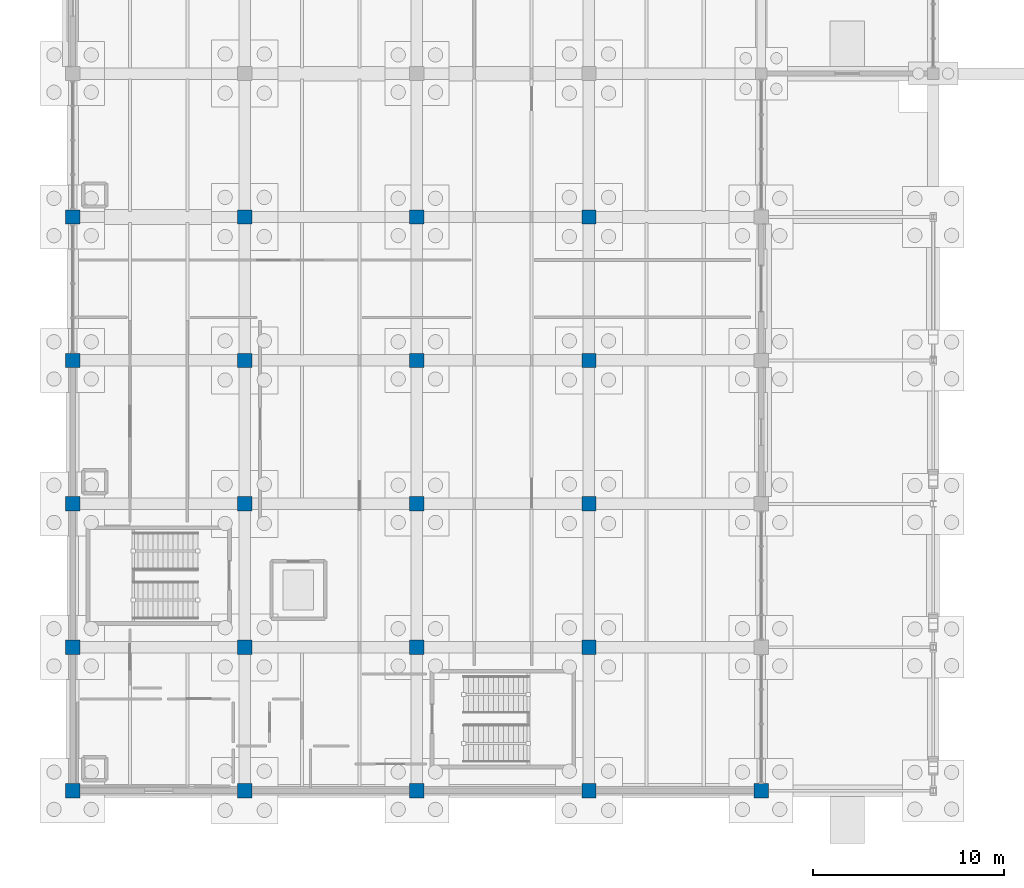
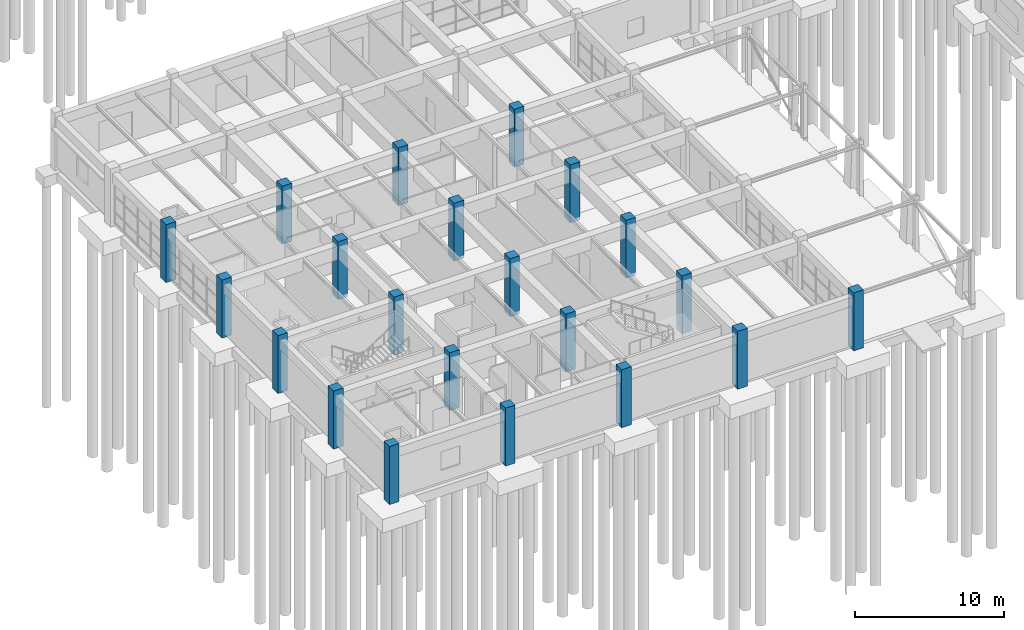
# One storey, part 9 of 93: 21 columns.
"""IFC4 building model written with IfcOpenShell, lengths in metres."""

from ifc_helpers import new_model, si_unit, direction, frame, origin, origin_2d, place, context, subcontext, project, spatial, rectangle, extrude, material, material_profile, profile_set, type_object, element, save


model = new_model("IFC4")

# Units and contexts
model_context = context("Model", 3, precision=1e-05, world=origin(), true_north=direction((0.0, 1.0)))
body_context = subcontext(model_context, "Body", "Model", "MODEL_VIEW")
ifc_project = project(units=[si_unit("LENGTHUNIT", "METRE"), si_unit("AREAUNIT", "SQUARE_METRE"), si_unit("VOLUMEUNIT", "CUBIC_METRE"), si_unit("PLANEANGLEUNIT", "RADIAN"), si_unit("MASSUNIT", "GRAM", prefix="KILO")], contexts=[model_context])

# Site, building, storey
site_placement = place(None, origin())
site = spatial("IfcSite", under=ifc_project, at=site_placement, CompositionType="ELEMENT")
building_placement = place(site_placement, origin())
building = spatial("IfcBuilding", under=site, at=building_placement, Name="Marnridge Secondary College", CompositionType="ELEMENT")
storey_placement = place(building_placement, origin())
storey = spatial("IfcBuildingStorey", under=building, at=storey_placement, Name="L00", CompositionType="ELEMENT", Elevation=0.0)

# Columns
ifc_material_1 = material(Name="Concrete C50/60 (AS 3600 N50, 50 MPa)", Category="concrete")
ifc_material_profile_1 = material_profile(ifc_material_1, rectangle(XDim=0.75, YDim=0.75, at=origin_2d()), Name="RC 750x750")
ifc_profile_set_1 = profile_set([ifc_material_profile_1], Name="Concrete C50/60 (AS 3600 N50, 50 MPa)")
column_type_1 = type_object("IfcColumnType", Name="CL-RC750-EXT", PredefinedType="COLUMN", material=ifc_profile_set_1)
for number, where, z_axis, x_axis, name in (
    (1, (0.0, 0.0, -0.25), (0.0, 0.0, 1.0), (1.0, 0.0, 0.0), "Column C-L00-0001"),
    (2, (9.0, 0.0, -0.25), (0.0, 0.0, 1.0), (1.0, 0.0, 0.0), "Column C-L00-0006"),
    (3, (18.0, 0.0, -0.25), (0.0, 0.0, 1.0), (1.0, 0.0, 0.0), "Column C-L00-0011"),
    (4, (27.0, 0.0, -0.25), (0.0, 0.0, 1.0), (1.0, 0.0, 0.0), "Column C-L00-0016"),
    (5, (36.0, 0.0, -0.25), (0.0, 0.0, 1.0), (1.0, 0.0, 0.0), "Column C-L00-0021"),
    (6, (0.0, 7.5, -0.25), (0.0, 0.0, 1.0), (1.0, 0.0, 0.0), "Column C-L00-0053"),
    (7, (0.0, 15.0, -0.25), (0.0, 0.0, 1.0), (1.0, 0.0, 0.0), "Column C-L00-0098"),
    (8, (0.0, 22.5, -0.25), (0.0, 0.0, 1.0), (1.0, 0.0, 0.0), "Column C-L00-0143"),
    (9, (0.0, 30.0, -0.25), (0.0, 0.0, 1.0), (1.0, 0.0, 0.0), "Column C-L00-0188"),
):
    element("IfcColumn", number, at=place(storey_placement, frame(where, z_axis=z_axis, x_axis=x_axis)), inside=storey, type_object=column_type_1, Name=name, PredefinedType="COLUMN", context=body_context, shape_type="SweptSolid", body=[
        extrude(rectangle(XDim=0.75, YDim=0.75, at=origin_2d()), origin(), (0.0, 0.0, 1.0), 4.75),
    ])
ifc_material_2 = material(Name="Concrete C50/60 (AS 3600 N50, 50 MPa)", Category="concrete")
ifc_material_profile_2 = material_profile(ifc_material_2, rectangle(XDim=0.75, YDim=0.75, at=origin_2d()), Name="RC 750x750")
ifc_profile_set_2 = profile_set([ifc_material_profile_2], Name="Concrete C50/60 (AS 3600 N50, 50 MPa)")
column_type_2 = type_object("IfcColumnType", Name="CL-RC750-INT", PredefinedType="COLUMN", material=ifc_profile_set_2)
for number, where, z_axis, x_axis, name in (
    (10, (9.0, 7.5, -0.25), (0.0, 0.0, 1.0), (1.0, 0.0, 0.0), "Column C-L00-0058"),
    (11, (18.0, 7.5, -0.25), (0.0, 0.0, 1.0), (1.0, 0.0, 0.0), "Column C-L00-0063"),
    (12, (27.0, 7.5, -0.25), (0.0, 0.0, 1.0), (1.0, 0.0, 0.0), "Column C-L00-0068"),
    (13, (9.0, 15.0, -0.25), (0.0, 0.0, 1.0), (1.0, 0.0, 0.0), "Column C-L00-0103"),
    (14, (18.0, 15.0, -0.25), (0.0, 0.0, 1.0), (1.0, 0.0, 0.0), "Column C-L00-0108"),
    (15, (27.0, 15.0, -0.25), (0.0, 0.0, 1.0), (1.0, 0.0, 0.0), "Column C-L00-0113"),
    (16, (9.0, 22.5, -0.25), (0.0, 0.0, 1.0), (1.0, 0.0, 0.0), "Column C-L00-0148"),
    (17, (18.0, 22.5, -0.25), (0.0, 0.0, 1.0), (1.0, 0.0, 0.0), "Column C-L00-0153"),
    (18, (27.0, 22.5, -0.25), (0.0, 0.0, 1.0), (1.0, 0.0, 0.0), "Column C-L00-0158"),
    (19, (9.0, 30.0, -0.25), (0.0, 0.0, 1.0), (1.0, 0.0, 0.0), "Column C-L00-0193"),
    (20, (18.0, 30.0, -0.25), (0.0, 0.0, 1.0), (1.0, 0.0, 0.0), "Column C-L00-0198"),
    (21, (27.0, 30.0, -0.25), (0.0, 0.0, 1.0), (1.0, 0.0, 0.0), "Column C-L00-0203"),
):
    element("IfcColumn", number, at=place(storey_placement, frame(where, z_axis=z_axis, x_axis=x_axis)), inside=storey, type_object=column_type_2, Name=name, PredefinedType="COLUMN", context=body_context, shape_type="SweptSolid", body=[
        extrude(rectangle(XDim=0.75, YDim=0.75, at=origin_2d()), origin(), (0.0, 0.0, 1.0), 4.75),
    ])

save(model, "model.ifc")
